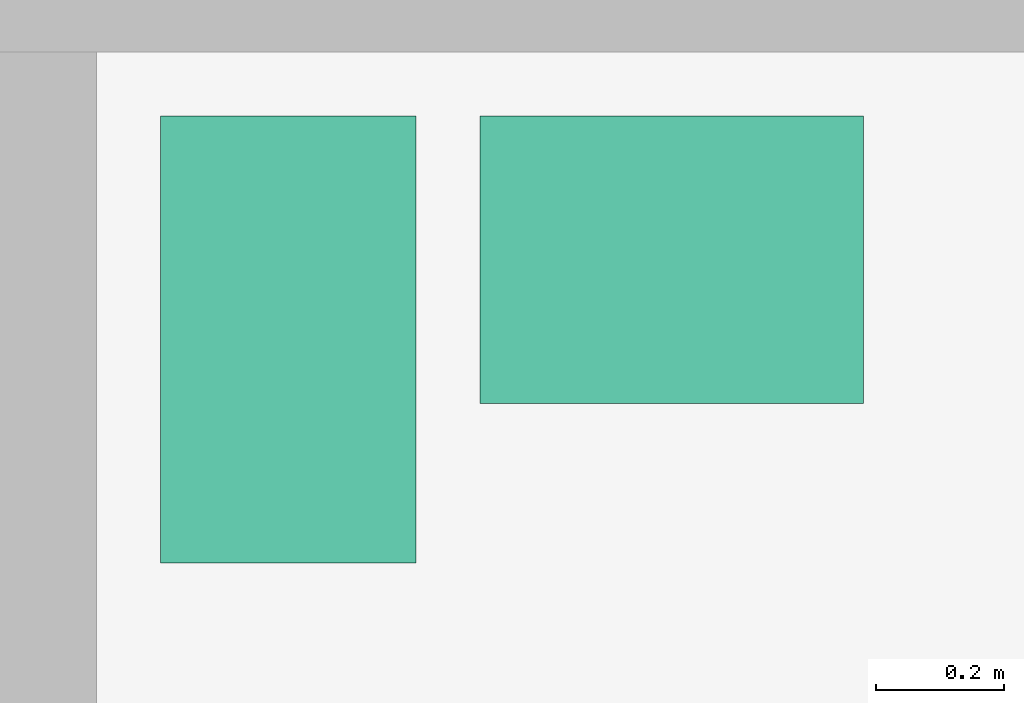
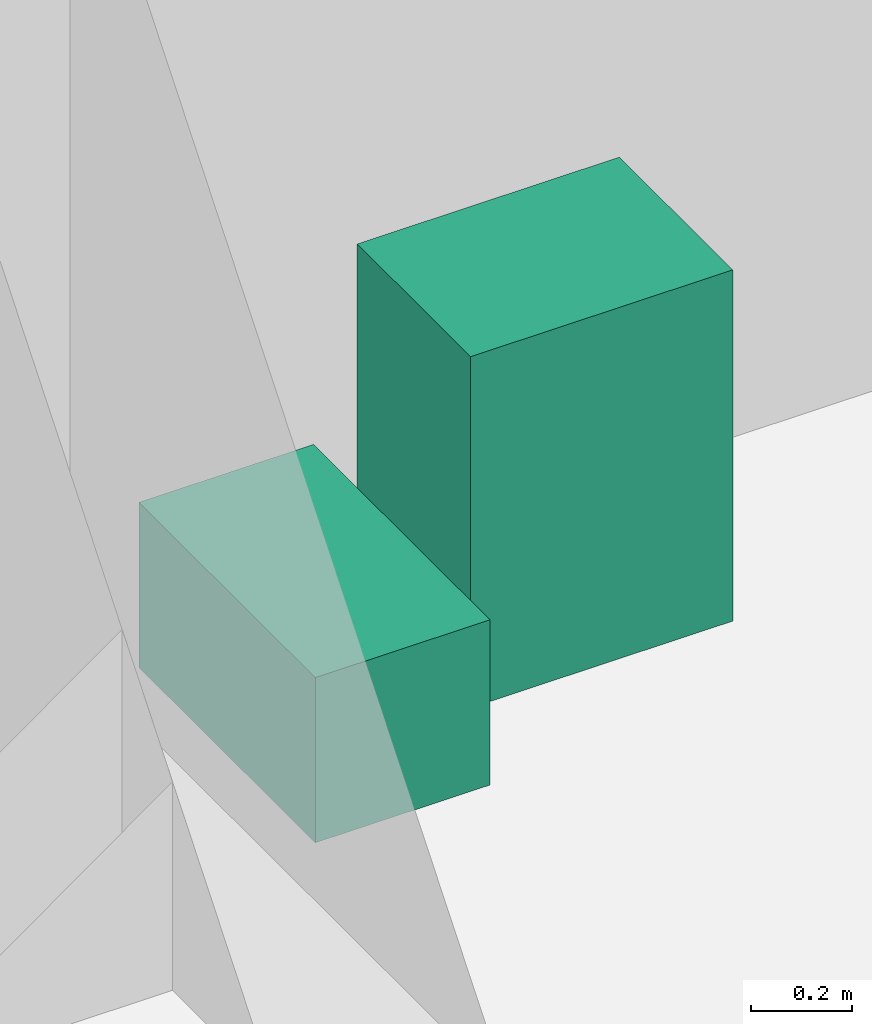
# One storey, part 16 of 16: 2 sanitary terminals.
"""IFC4 building model written with IfcOpenShell, lengths in metres."""

from ifc_helpers import new_model, si_unit, direction, frame, origin, origin_2d, place, context, subcontext, project, spatial, rectangle, extrude, element, save


model = new_model("IFC4")

# Units and contexts
model_context = context("Model", 3, precision=1e-05, world=origin(), true_north=direction((0.0, 1.0)))
body_context = subcontext(model_context, "Body", "Model", "MODEL_VIEW")
ifc_project = project(units=[si_unit("LENGTHUNIT", "METRE"), si_unit("AREAUNIT", "SQUARE_METRE"), si_unit("VOLUMEUNIT", "CUBIC_METRE"), si_unit("PLANEANGLEUNIT", "RADIAN"), si_unit("MASSUNIT", "GRAM", prefix="KILO")], contexts=[model_context])

# Site, building, storey
site_placement = place(None, origin())
site = spatial("IfcSite", under=ifc_project, at=site_placement, CompositionType="ELEMENT")
building_placement = place(site_placement, origin())
building = spatial("IfcBuilding", under=site, at=building_placement, Name="Hankou Lantern Tower", CompositionType="ELEMENT")
storey_placement = place(building_placement, frame((0.0, 0.0, 153.300048828125)))
storey = spatial("IfcBuildingStorey", under=building, at=storey_placement, Name="L40", CompositionType="ELEMENT", Elevation=153.300048828125)

# Sanitary terminals
sanitary_terminal_1_placement = place(storey_placement, frame((-8.5, 3.64990234375, 0.0), z_axis=(0.0, 0.0, 1.0), x_axis=(1.0, 0.0, 0.0)))
element("IfcSanitaryTerminal", 1, at=sanitary_terminal_1_placement, inside=storey, Name="Accessible staff WC WC pan 1", PredefinedType="TOILETPAN", context=body_context, shape_type="SweptSolid", body=[
    extrude(rectangle(XDim=0.39990234375, YDim=0.699951171875, at=origin_2d()), origin(), (0.0, 0.0, 1.0), 0.39990234375),
])
sanitary_terminal_2_placement = place(storey_placement, frame((-7.89990234375, 3.77490234375, 0.0), z_axis=(0.0, 0.0, 1.0), x_axis=(1.0, 0.0, 0.0)))
element("IfcSanitaryTerminal", 2, at=sanitary_terminal_2_placement, inside=storey, Name="Accessible staff WC wash basin 1", PredefinedType="WASHHANDBASIN", context=body_context, shape_type="SweptSolid", body=[
    extrude(rectangle(XDim=0.60009765625, YDim=0.449951171875, at=origin_2d()), origin(), (0.0, 0.0, 1.0), 0.85009765625),
])

save(model, "model.ifc")
